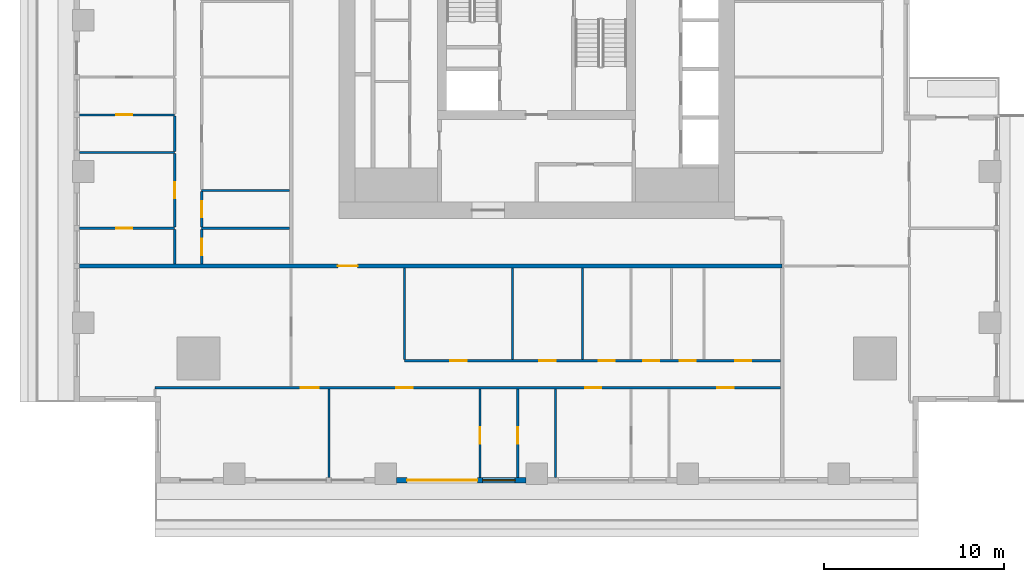
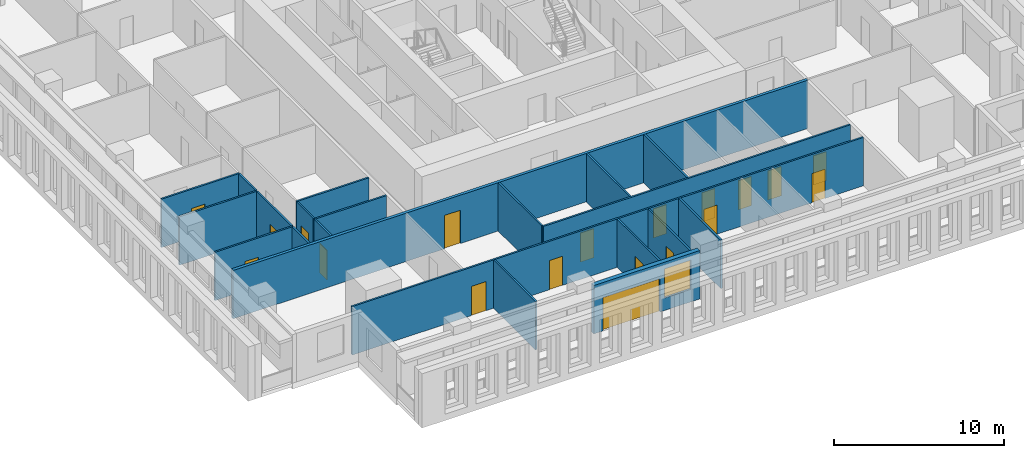
# One storey, part 2 of 15: 21 walls, 19 doors, 1 window, 20 openings.
"""IFC4 building model written with IfcOpenShell, lengths in metres."""

from ifc_helpers import new_model, si_unit, direction, frame, frame_2d, origin, place, context, subcontext, project, spatial, rectangle, extrude, material, layer, layer_set, type_object, element, fill, save


model = new_model("IFC4")

# Units and contexts
model_context = context("Model", 3, precision=1e-05, world=origin(), true_north=direction((0.0, 1.0)))
body_context = subcontext(model_context, "Body", "Model", "MODEL_VIEW")
ifc_project = project(units=[si_unit("LENGTHUNIT", "METRE"), si_unit("AREAUNIT", "SQUARE_METRE"), si_unit("VOLUMEUNIT", "CUBIC_METRE"), si_unit("PLANEANGLEUNIT", "RADIAN"), si_unit("MASSUNIT", "GRAM", prefix="KILO")], contexts=[model_context])

# Site, building, storey
site_placement = place(None, origin())
site = spatial("IfcSite", under=ifc_project, at=site_placement, CompositionType="ELEMENT")
building_placement = place(site_placement, origin())
building = spatial("IfcBuilding", under=site, at=building_placement, Name="Khepri Terraces", CompositionType="ELEMENT")
storey_placement = place(building_placement, frame((0.0, 0.0, 196.199951171875)))
storey = spatial("IfcBuildingStorey", under=building, at=storey_placement, Name="L46", CompositionType="ELEMENT", Elevation=196.199951171875)

# Wall, opening, door
ifc_material_1 = material(Name="Fire-rated gypsum plasterboard partition, mineral wool")
ifc_layer_1 = layer(ifc_material_1, 0.199951171875, Name="Fire-rated gypsum plasterboard partition, mineral wool")
ifc_layer_set_1 = layer_set([ifc_layer_1], Name="Fire-rated gypsum plasterboard partition, mineral wool")
wall_type_1 = type_object("IfcWallType", Name="WL-CORR-200", PredefinedType="PARTITIONING", material=ifc_layer_set_1)
wall_1_placement = place(storey_placement, frame((-25.419921875, -13.64990234375, 0.0), z_axis=(0.0, 0.0, 1.0), x_axis=(1.0, 0.0, 0.0)))
wall_1 = element("IfcWall", 1, at=wall_1_placement, inside=storey, type_object=wall_type_1, Name="Partition P-020 L46", PredefinedType="PARTITIONING", context=body_context, shape_type="SweptSolid", body=[
    extrude(rectangle(XDim=39.06982421875, YDim=0.199951171875, at=frame_2d((19.534912109375, 0.0))), origin(), (0.0, 0.0, 1.0), 3.47998046875),
])
opening_1_placement = place(wall_1_placement, frame((14.3701171875, 0.0, 0.0)))
opening_1 = element("IfcOpeningElement", 2, at=opening_1_placement, cuts=wall_1, Name="Opening D1", PredefinedType="OPENING", context=body_context, shape_type="SweptSolid", body=[
    extrude(rectangle(XDim=1.10009765625, YDim=2.39990234375, at=frame_2d((0.550048828125, 1.199951171875))), frame((0.0, 0.10986328125, 0.0), z_axis=(0.0, -1.0, 0.0), x_axis=(1.0, 0.0, 0.0)), (0.0, 0.0, 1.0), 0.219970703125),
])
ifc_material_2 = material(Name="Solid-core timber door leaf, flat entrance door", Category="wood")
door_type_1 = type_object("IfcDoorType", Name="DR-ENT-1100", OperationType="NOTDEFINED", PredefinedType="DOOR", material=ifc_material_2)
door_1_placement = place(opening_1_placement, frame((1.10009765625, 0.0, 0.0), z_axis=(0.0, 0.0, 1.0), x_axis=(-1.0, 0.0, 0.0)))
door_1 = element("IfcDoor", 3, at=door_1_placement, inside=storey, type_object=door_type_1, Name="Flat A1 entrance door", OperationType="SINGLE_SWING_RIGHT", OverallHeight=2.39990234375, OverallWidth=1.10009765625, PredefinedType="DOOR", context=body_context, shape_type="SweptSolid", body=[
    extrude(rectangle(XDim=1.10009765625, YDim=2.39990234375, at=frame_2d((0.550048828125, 1.199951171875))), frame((0.0, 0.02490234375, 0.0), z_axis=(0.0, -1.0, 0.0), x_axis=(1.0, 0.0, 0.0)), (0.0, 0.0, 1.0), 0.050048828125),
])
fill(opening_1, door_1)

# Wall, openings, door, window
ifc_material_3 = material(Name="Precast concrete C50/60 warm stone", Category="masonry")
ifc_layer_2 = layer(ifc_material_3, 0.300048828125, Name="Precast concrete C50/60 warm stone", Category="masonry")
ifc_layer_set_2 = layer_set([ifc_layer_2], Name="Precast concrete C50/60 warm stone")
wall_type_2 = type_object("IfcWallType", Name="WL-EXT-PRECAST-300", PredefinedType="STANDARD", material=ifc_layer_set_2)
wall_2_placement = place(storey_placement, frame((-7.800048828125, -25.570068359375, 0.0), z_axis=(0.0, 0.0, 1.0), x_axis=(1.0, 0.0, 0.0)))
wall_2 = element("IfcWall", 4, at=wall_2_placement, inside=storey, type_object=wall_type_2, Name="External wall L46 S", PredefinedType="STANDARD", context=body_context, shape_type="SweptSolid", body=[
    extrude(rectangle(XDim=7.199951171875, YDim=0.300048828125, at=frame_2d((3.60009765625, 0.0))), origin(), (0.0, 0.0, 1.0), 3.47998046875),
])
opening_2_placement = place(wall_2_placement, frame((0.60009765625, 0.0, 0.0)))
opening_2 = element("IfcOpeningElement", 5, at=opening_2_placement, cuts=wall_2, Name="Opening ED-L46-20", PredefinedType="OPENING", context=body_context, shape_type="SweptSolid", body=[
    extrude(rectangle(XDim=3.89990234375, YDim=2.39990234375, at=frame_2d((1.949951171875, 1.199951171875))), frame((0.0, 0.16015625, 0.0), z_axis=(0.0, -1.0, 0.0), x_axis=(1.0, 0.0, 0.0)), (0.0, 0.0, 1.0), 0.320068359375),
])
opening_3_placement = place(wall_2_placement, frame((4.800048828125, 0.0, 0.89990234375)))
opening_3 = element("IfcOpeningElement", 6, at=opening_3_placement, cuts=wall_2, Name="Opening W1", PredefinedType="OPENING", context=body_context, shape_type="SweptSolid", body=[
    extrude(rectangle(XDim=1.800048828125, YDim=2.10009765625, at=frame_2d((0.89990234375, 1.050048828125))), frame((0.0, 0.16015625, 0.0), z_axis=(0.0, -1.0, 0.0), x_axis=(1.0, 0.0, 0.0)), (0.0, 0.0, 1.0), 0.320068359375),
])
ifc_material_4 = material(Name="Anodised aluminium bronze glazed door", Category="aluminium")
door_type_2 = type_object("IfcDoorType", Name="DR-BAL-SLIDE-3900x2400", OperationType="NOTDEFINED", PredefinedType="DOOR", material=ifc_material_4)
door_2_placement = place(opening_2_placement, origin())
door_2 = element("IfcDoor", 7, at=door_2_placement, inside=storey, type_object=door_type_2, Name="Balcony door L46 S", OperationType="SLIDING_TO_LEFT", OverallHeight=2.39990234375, OverallWidth=3.89990234375, PredefinedType="DOOR", context=body_context, shape_type="SweptSolid", body=[
    extrude(rectangle(XDim=3.89990234375, YDim=2.39990234375, at=frame_2d((1.949951171875, 1.199951171875))), frame((0.0, 0.02490234375, 0.0), z_axis=(0.0, -1.0, 0.0), x_axis=(1.0, 0.0, 0.0)), (0.0, 0.0, 1.0), 0.050048828125),
])
fill(opening_2, door_2)
ifc_material_5 = material(Name="Clear glass", Category="glass")
window_type = type_object("IfcWindowType", Name="WIN-RES-1800x2100", PartitioningType="SINGLE_PANEL", PredefinedType="WINDOW", material=ifc_material_5)
window_placement = place(opening_3_placement, origin())
window = element("IfcWindow", 8, at=window_placement, inside=storey, type_object=window_type, Name="Window L46 S", OverallHeight=2.10009765625, OverallWidth=1.800048828125, PartitioningType="SINGLE_PANEL", PredefinedType="WINDOW", context=body_context, shape_type="SweptSolid", body=[
    extrude(rectangle(XDim=1.800048828125, YDim=2.10009765625, at=frame_2d((0.89990234375, 1.050048828125))), frame((0.0, 0.030029296875, 0.0), z_axis=(0.0, -1.0, 0.0), x_axis=(1.0, 0.0, 0.0)), (0.0, 0.0, 1.0), 0.06005859375),
])
fill(opening_3, window)

# Wall
ifc_material_6 = material(Name="Gypsum plasterboard partition")
ifc_layer_3 = layer(ifc_material_6, 0.1201171875, Name="Gypsum plasterboard partition")
ifc_layer_set_3 = layer_set([ifc_layer_3], Name="Gypsum plasterboard partition")
wall_type_3 = type_object("IfcWallType", Name="WL-PART-120", PredefinedType="PARTITIONING", material=ifc_layer_set_3)
wall_3_placement = place(storey_placement, frame((-11.550048828125, -25.419921875, 0.0), z_axis=(0.0, 0.0, 1.0), x_axis=(0.0, 1.0, 0.0)))
element("IfcWall", 9, at=wall_3_placement, inside=storey, type_object=wall_type_3, Name="Partition P-001 L46", PredefinedType="PARTITIONING", context=body_context, shape_type="SweptSolid", body=[
    extrude(rectangle(XDim=4.93994140625, YDim=0.1201171875, at=frame_2d((2.469970703125, 0.0))), origin(), (0.0, 0.0, 1.0), 3.47998046875),
])

# Wall, opening, door
wall_4_placement = place(storey_placement, frame((-3.14990234375, -25.419921875, 0.0), z_axis=(0.0, 0.0, 1.0), x_axis=(0.0, 1.0, 0.0)))
wall_4 = element("IfcWall", 10, at=wall_4_placement, inside=storey, type_object=wall_type_3, Name="Partition P-002 L46", PredefinedType="PARTITIONING", context=body_context, shape_type="SweptSolid", body=[
    extrude(rectangle(XDim=4.93994140625, YDim=0.1201171875, at=frame_2d((2.469970703125, 0.0))), origin(), (0.0, 0.0, 1.0), 3.47998046875),
])
opening_4_placement = place(wall_4_placement, frame((1.89990234375, 0.0, 0.0)))
opening_4 = element("IfcOpeningElement", 11, at=opening_4_placement, cuts=wall_4, Name="Opening D3", PredefinedType="OPENING", context=body_context, shape_type="SweptSolid", body=[
    extrude(rectangle(XDim=0.89990234375, YDim=2.10009765625, at=frame_2d((0.449951171875, 1.050048828125))), frame((0.0, 0.070068359375, 0.0), z_axis=(0.0, -1.0, 0.0), x_axis=(1.0, 0.0, 0.0)), (0.0, 0.0, 1.0), 0.14013671875),
])
ifc_material_7 = material(Name="Timber door leaf", Category="wood")
door_type_3 = type_object("IfcDoorType", Name="DR-INT-900", OperationType="NOTDEFINED", PredefinedType="DOOR", material=ifc_material_7)
door_3_placement = place(opening_4_placement, frame((0.89990234375, 0.0, 0.0), z_axis=(0.0, 0.0, 1.0), x_axis=(-1.0, 0.0, 0.0)))
door_3 = element("IfcDoor", 12, at=door_3_placement, inside=storey, type_object=door_type_3, Name="Door Dressing Room", OperationType="SINGLE_SWING_RIGHT", OverallHeight=2.10009765625, OverallWidth=0.89990234375, PredefinedType="DOOR", context=body_context, shape_type="SweptSolid", body=[
    extrude(rectangle(XDim=0.89990234375, YDim=2.10009765625, at=frame_2d((0.449951171875, 1.050048828125))), frame((0.0, 0.02490234375, 0.0), z_axis=(0.0, -1.0, 0.0), x_axis=(1.0, 0.0, 0.0)), (0.0, 0.0, 1.0), 0.050048828125),
])
fill(opening_4, door_3)

wall_5_placement = place(storey_placement, frame((-1.050048828125, -25.419921875, 0.0), z_axis=(0.0, 0.0, 1.0), x_axis=(0.0, 1.0, 0.0)))
wall_5 = element("IfcWall", 13, at=wall_5_placement, inside=storey, type_object=wall_type_3, Name="Partition P-003 L46", PredefinedType="PARTITIONING", context=body_context, shape_type="SweptSolid", body=[
    extrude(rectangle(XDim=4.93994140625, YDim=0.1201171875, at=frame_2d((2.469970703125, 0.0))), origin(), (0.0, 0.0, 1.0), 3.47998046875),
])
opening_5_placement = place(wall_5_placement, frame((1.89990234375, 0.0, 0.0)))
opening_5 = element("IfcOpeningElement", 14, at=opening_5_placement, cuts=wall_5, Name="Opening D4", PredefinedType="OPENING", context=body_context, shape_type="SweptSolid", body=[
    extrude(rectangle(XDim=0.89990234375, YDim=2.10009765625, at=frame_2d((0.449951171875, 1.050048828125))), frame((0.0, 0.070068359375, 0.0), z_axis=(0.0, -1.0, 0.0), x_axis=(1.0, 0.0, 0.0)), (0.0, 0.0, 1.0), 0.14013671875),
])
ifc_material_8 = material(Name="Timber door leaf, moisture resistant", Category="wood")
door_type_4 = type_object("IfcDoorType", Name="DR-WET-900", OperationType="NOTDEFINED", PredefinedType="DOOR", material=ifc_material_8)
door_4_placement = place(opening_5_placement, frame((0.89990234375, 0.0, 0.0), z_axis=(0.0, 0.0, 1.0), x_axis=(-1.0, 0.0, 0.0)))
door_4 = element("IfcDoor", 15, at=door_4_placement, inside=storey, type_object=door_type_4, Name="Door Bathroom", OperationType="SINGLE_SWING_RIGHT", OverallHeight=2.10009765625, OverallWidth=0.89990234375, PredefinedType="DOOR", context=body_context, shape_type="SweptSolid", body=[
    extrude(rectangle(XDim=0.89990234375, YDim=2.10009765625, at=frame_2d((0.449951171875, 1.050048828125))), frame((0.0, 0.02490234375, 0.0), z_axis=(0.0, -1.0, 0.0), x_axis=(1.0, 0.0, 0.0)), (0.0, 0.0, 1.0), 0.050048828125),
])
fill(opening_5, door_4)

# Wall
wall_6_placement = place(storey_placement, frame((1.050048828125, -25.419921875, 0.0), z_axis=(0.0, 0.0, 1.0), x_axis=(0.0, 1.0, 0.0)))
element("IfcWall", 16, at=wall_6_placement, inside=storey, type_object=wall_type_3, Name="Partition P-004 L46", PredefinedType="PARTITIONING", context=body_context, shape_type="SweptSolid", body=[
    extrude(rectangle(XDim=4.93994140625, YDim=0.1201171875, at=frame_2d((2.469970703125, 0.0))), origin(), (0.0, 0.0, 1.0), 3.47998046875),
])

# Wall, openings, doors
wall_7_placement = place(storey_placement, frame((-21.218994140625, -20.419921875, 0.0), z_axis=(0.0, 0.0, 1.0), x_axis=(1.0, 0.0, 0.0)))
wall_7 = element("IfcWall", 17, at=wall_7_placement, inside=storey, type_object=wall_type_3, Name="Partition P-011 L46", PredefinedType="PARTITIONING", context=body_context, shape_type="SweptSolid", body=[
    extrude(rectangle(XDim=34.76904296875, YDim=0.1201171875, at=frame_2d((17.384521484375, 0.0))), origin(), (0.0, 0.0, 1.0), 3.47998046875),
])
opening_6_placement = place(wall_7_placement, frame((8.118896484375, 0.0, 0.0)))
opening_6 = element("IfcOpeningElement", 18, at=opening_6_placement, cuts=wall_7, Name="Opening D2", PredefinedType="OPENING", context=body_context, shape_type="SweptSolid", body=[
    extrude(rectangle(XDim=1.0, YDim=2.10009765625, at=frame_2d((0.5, 1.050048828125))), frame((0.0, 0.070068359375, 0.0), z_axis=(0.0, -1.0, 0.0), x_axis=(1.0, 0.0, 0.0)), (0.0, 0.0, 1.0), 0.14013671875),
])
opening_7_placement = place(wall_7_placement, frame((13.4189453125, 0.0, 0.0)))
opening_7 = element("IfcOpeningElement", 19, at=opening_7_placement, cuts=wall_7, Name="Opening D3", PredefinedType="OPENING", context=body_context, shape_type="SweptSolid", body=[
    extrude(rectangle(XDim=0.89990234375, YDim=2.10009765625, at=frame_2d((0.449951171875, 1.050048828125))), frame((0.0, 0.070068359375, 0.0), z_axis=(0.0, -1.0, 0.0), x_axis=(1.0, 0.0, 0.0)), (0.0, 0.0, 1.0), 0.14013671875),
])
opening_8_placement = place(wall_7_placement, frame((23.9189453125, 0.0, 0.0)))
opening_8 = element("IfcOpeningElement", 20, at=opening_8_placement, cuts=wall_7, Name="Opening D3", PredefinedType="OPENING", context=body_context, shape_type="SweptSolid", body=[
    extrude(rectangle(XDim=0.89990234375, YDim=2.10009765625, at=frame_2d((0.449951171875, 1.050048828125))), frame((0.0, 0.070068359375, 0.0), z_axis=(0.0, -1.0, 0.0), x_axis=(1.0, 0.0, 0.0)), (0.0, 0.0, 1.0), 0.14013671875),
])
opening_9_placement = place(wall_7_placement, frame((31.26904296875, 0.0, 0.0)))
opening_9 = element("IfcOpeningElement", 21, at=opening_9_placement, cuts=wall_7, Name="Opening D3", PredefinedType="OPENING", context=body_context, shape_type="SweptSolid", body=[
    extrude(rectangle(XDim=0.89990234375, YDim=2.10009765625, at=frame_2d((0.449951171875, 1.050048828125))), frame((0.0, 0.070068359375, 0.0), z_axis=(0.0, -1.0, 0.0), x_axis=(1.0, 0.0, 0.0)), (0.0, 0.0, 1.0), 0.14013671875),
])
ifc_material_9 = material(Name="Timber door leaf, living room door", Category="wood")
door_type_5 = type_object("IfcDoorType", Name="DR-INT-1000", OperationType="NOTDEFINED", PredefinedType="DOOR", material=ifc_material_9)
door_5_placement = place(opening_6_placement, frame((1.0, 0.0, 0.0), z_axis=(0.0, 0.0, 1.0), x_axis=(-1.0, 0.0, 0.0)))
door_5 = element("IfcDoor", 22, at=door_5_placement, inside=storey, type_object=door_type_5, Name="Door Living Room", OperationType="SINGLE_SWING_RIGHT", OverallHeight=2.10009765625, OverallWidth=1.0, PredefinedType="DOOR", context=body_context, shape_type="SweptSolid", body=[
    extrude(rectangle(XDim=1.0, YDim=2.10009765625, at=frame_2d((0.5, 1.050048828125))), frame((0.0, 0.02490234375, 0.0), z_axis=(0.0, -1.0, 0.0), x_axis=(1.0, 0.0, 0.0)), (0.0, 0.0, 1.0), 0.050048828125),
])
fill(opening_6, door_5)
door_6_placement = place(opening_7_placement, frame((0.89990234375, 0.0, 0.0), z_axis=(0.0, 0.0, 1.0), x_axis=(-1.0, 0.0, 0.0)))
door_6 = element("IfcDoor", 23, at=door_6_placement, inside=storey, type_object=door_type_3, Name="Door Master Bedroom", OperationType="SINGLE_SWING_RIGHT", OverallHeight=2.10009765625, OverallWidth=0.89990234375, PredefinedType="DOOR", context=body_context, shape_type="SweptSolid", body=[
    extrude(rectangle(XDim=0.89990234375, YDim=2.10009765625, at=frame_2d((0.449951171875, 1.050048828125))), frame((0.0, 0.02490234375, 0.0), z_axis=(0.0, -1.0, 0.0), x_axis=(1.0, 0.0, 0.0)), (0.0, 0.0, 1.0), 0.050048828125),
])
fill(opening_7, door_6)
door_7_placement = place(opening_8_placement, frame((0.89990234375, 0.0, 0.0), z_axis=(0.0, 0.0, 1.0), x_axis=(-1.0, 0.0, 0.0)))
door_7 = element("IfcDoor", 24, at=door_7_placement, inside=storey, type_object=door_type_3, Name="Door Bedroom", OperationType="SINGLE_SWING_LEFT", OverallHeight=2.10009765625, OverallWidth=0.89990234375, PredefinedType="DOOR", context=body_context, shape_type="SweptSolid", body=[
    extrude(rectangle(XDim=0.89990234375, YDim=2.10009765625, at=frame_2d((0.449951171875, 1.050048828125))), frame((0.0, 0.02490234375, 0.0), z_axis=(0.0, -1.0, 0.0), x_axis=(1.0, 0.0, 0.0)), (0.0, 0.0, 1.0), 0.050048828125),
])
fill(opening_8, door_7)
door_8_placement = place(opening_9_placement, frame((0.89990234375, 0.0, 0.0), z_axis=(0.0, 0.0, 1.0), x_axis=(-1.0, 0.0, 0.0)))
door_8 = element("IfcDoor", 25, at=door_8_placement, inside=storey, type_object=door_type_3, Name="Door Home Gym", OperationType="SINGLE_SWING_LEFT", OverallHeight=2.10009765625, OverallWidth=0.89990234375, PredefinedType="DOOR", context=body_context, shape_type="SweptSolid", body=[
    extrude(rectangle(XDim=0.89990234375, YDim=2.10009765625, at=frame_2d((0.449951171875, 1.050048828125))), frame((0.0, 0.02490234375, 0.0), z_axis=(0.0, -1.0, 0.0), x_axis=(1.0, 0.0, 0.0)), (0.0, 0.0, 1.0), 0.050048828125),
])
fill(opening_9, door_8)

wall_8_placement = place(storey_placement, frame((-7.35009765625, -18.919921875, 0.0), z_axis=(0.0, 0.0, 1.0), x_axis=(1.0, 0.0, 0.0)))
wall_8 = element("IfcWall", 26, at=wall_8_placement, inside=storey, type_object=wall_type_3, Name="Partition P-013 L46", PredefinedType="PARTITIONING", context=body_context, shape_type="SweptSolid", body=[
    extrude(rectangle(XDim=20.900146484375, YDim=0.1201171875, at=frame_2d((10.4501953125, 0.0))), origin(), (0.0, 0.0, 1.0), 3.47998046875),
])
opening_10_placement = place(wall_8_placement, frame((2.550048828125, 0.0, 0.0)))
opening_10 = element("IfcOpeningElement", 27, at=opening_10_placement, cuts=wall_8, Name="Opening D3", PredefinedType="OPENING", context=body_context, shape_type="SweptSolid", body=[
    extrude(rectangle(XDim=0.89990234375, YDim=2.10009765625, at=frame_2d((0.449951171875, 1.050048828125))), frame((0.0, 0.070068359375, 0.0), z_axis=(0.0, -1.0, 0.0), x_axis=(1.0, 0.0, 0.0)), (0.0, 0.0, 1.0), 0.14013671875),
])
opening_11_placement = place(wall_8_placement, frame((7.5, 0.0, 0.0)))
opening_11 = element("IfcOpeningElement", 28, at=opening_11_placement, cuts=wall_8, Name="Opening D3", PredefinedType="OPENING", context=body_context, shape_type="SweptSolid", body=[
    extrude(rectangle(XDim=0.89990234375, YDim=2.10009765625, at=frame_2d((0.449951171875, 1.050048828125))), frame((0.0, 0.070068359375, 0.0), z_axis=(0.0, -1.0, 0.0), x_axis=(1.0, 0.0, 0.0)), (0.0, 0.0, 1.0), 0.14013671875),
])
opening_12_placement = place(wall_8_placement, frame((10.800048828125, 0.0, 0.0)))
opening_12 = element("IfcOpeningElement", 29, at=opening_12_placement, cuts=wall_8, Name="Opening D3", PredefinedType="OPENING", context=body_context, shape_type="SweptSolid", body=[
    extrude(rectangle(XDim=0.89990234375, YDim=2.10009765625, at=frame_2d((0.449951171875, 1.050048828125))), frame((0.0, 0.070068359375, 0.0), z_axis=(0.0, -1.0, 0.0), x_axis=(1.0, 0.0, 0.0)), (0.0, 0.0, 1.0), 0.14013671875),
])
opening_13_placement = place(wall_8_placement, frame((13.27490234375, 0.0, 0.0)))
opening_13 = element("IfcOpeningElement", 30, at=opening_13_placement, cuts=wall_8, Name="Opening D4", PredefinedType="OPENING", context=body_context, shape_type="SweptSolid", body=[
    extrude(rectangle(XDim=0.89990234375, YDim=2.10009765625, at=frame_2d((0.449951171875, 1.050048828125))), frame((0.0, 0.070068359375, 0.0), z_axis=(0.0, -1.0, 0.0), x_axis=(1.0, 0.0, 0.0)), (0.0, 0.0, 1.0), 0.14013671875),
])
opening_14_placement = place(wall_8_placement, frame((15.300048828125, 0.0, 0.0)))
opening_14 = element("IfcOpeningElement", 31, at=opening_14_placement, cuts=wall_8, Name="Opening D4", PredefinedType="OPENING", context=body_context, shape_type="SweptSolid", body=[
    extrude(rectangle(XDim=0.89990234375, YDim=2.10009765625, at=frame_2d((0.449951171875, 1.050048828125))), frame((0.0, 0.070068359375, 0.0), z_axis=(0.0, -1.0, 0.0), x_axis=(1.0, 0.0, 0.0)), (0.0, 0.0, 1.0), 0.14013671875),
])
opening_15_placement = place(wall_8_placement, frame((18.375, 0.0, 0.0)))
opening_15 = element("IfcOpeningElement", 32, at=opening_15_placement, cuts=wall_8, Name="Opening D3", PredefinedType="OPENING", context=body_context, shape_type="SweptSolid", body=[
    extrude(rectangle(XDim=0.89990234375, YDim=2.10009765625, at=frame_2d((0.449951171875, 1.050048828125))), frame((0.0, 0.070068359375, 0.0), z_axis=(0.0, -1.0, 0.0), x_axis=(1.0, 0.0, 0.0)), (0.0, 0.0, 1.0), 0.14013671875),
])
door_9_placement = place(opening_10_placement, origin())
door_9 = element("IfcDoor", 33, at=door_9_placement, inside=storey, type_object=door_type_3, Name="Door Kitchen", OperationType="SINGLE_SWING_LEFT", OverallHeight=2.10009765625, OverallWidth=0.89990234375, PredefinedType="DOOR", context=body_context, shape_type="SweptSolid", body=[
    extrude(rectangle(XDim=0.89990234375, YDim=2.10009765625, at=frame_2d((0.449951171875, 1.050048828125))), frame((0.0, 0.02490234375, 0.0), z_axis=(0.0, -1.0, 0.0), x_axis=(1.0, 0.0, 0.0)), (0.0, 0.0, 1.0), 0.050048828125),
])
fill(opening_10, door_9)
door_10_placement = place(opening_11_placement, origin())
door_10 = element("IfcDoor", 34, at=door_10_placement, inside=storey, type_object=door_type_3, Name="Door Service Store", OperationType="SINGLE_SWING_LEFT", OverallHeight=2.10009765625, OverallWidth=0.89990234375, PredefinedType="DOOR", context=body_context, shape_type="SweptSolid", body=[
    extrude(rectangle(XDim=0.89990234375, YDim=2.10009765625, at=frame_2d((0.449951171875, 1.050048828125))), frame((0.0, 0.02490234375, 0.0), z_axis=(0.0, -1.0, 0.0), x_axis=(1.0, 0.0, 0.0)), (0.0, 0.0, 1.0), 0.050048828125),
])
fill(opening_11, door_10)
door_11_placement = place(opening_12_placement, origin())
door_11 = element("IfcDoor", 35, at=door_11_placement, inside=storey, type_object=door_type_3, Name="Door Utility Room", OperationType="SINGLE_SWING_RIGHT", OverallHeight=2.10009765625, OverallWidth=0.89990234375, PredefinedType="DOOR", context=body_context, shape_type="SweptSolid", body=[
    extrude(rectangle(XDim=0.89990234375, YDim=2.10009765625, at=frame_2d((0.449951171875, 1.050048828125))), frame((0.0, 0.02490234375, 0.0), z_axis=(0.0, -1.0, 0.0), x_axis=(1.0, 0.0, 0.0)), (0.0, 0.0, 1.0), 0.050048828125),
])
fill(opening_12, door_11)
door_12_placement = place(opening_15_placement, origin())
door_12 = element("IfcDoor", 36, at=door_12_placement, inside=storey, type_object=door_type_3, Name="Door Staff Bedroom", OperationType="SINGLE_SWING_RIGHT", OverallHeight=2.10009765625, OverallWidth=0.89990234375, PredefinedType="DOOR", context=body_context, shape_type="SweptSolid", body=[
    extrude(rectangle(XDim=0.89990234375, YDim=2.10009765625, at=frame_2d((0.449951171875, 1.050048828125))), frame((0.0, 0.02490234375, 0.0), z_axis=(0.0, -1.0, 0.0), x_axis=(1.0, 0.0, 0.0)), (0.0, 0.0, 1.0), 0.050048828125),
])
fill(opening_15, door_12)
door_13_placement = place(opening_13_placement, origin())
door_13 = element("IfcDoor", 37, at=door_13_placement, inside=storey, type_object=door_type_4, Name="Door Powder Room", OperationType="SINGLE_SWING_RIGHT", OverallHeight=2.10009765625, OverallWidth=0.89990234375, PredefinedType="DOOR", context=body_context, shape_type="SweptSolid", body=[
    extrude(rectangle(XDim=0.89990234375, YDim=2.10009765625, at=frame_2d((0.449951171875, 1.050048828125))), frame((0.0, 0.02490234375, 0.0), z_axis=(0.0, -1.0, 0.0), x_axis=(1.0, 0.0, 0.0)), (0.0, 0.0, 1.0), 0.050048828125),
])
fill(opening_13, door_13)
door_14_placement = place(opening_14_placement, origin())
door_14 = element("IfcDoor", 38, at=door_14_placement, inside=storey, type_object=door_type_4, Name="Door Guest Bathroom", OperationType="SINGLE_SWING_RIGHT", OverallHeight=2.10009765625, OverallWidth=0.89990234375, PredefinedType="DOOR", context=body_context, shape_type="SweptSolid", body=[
    extrude(rectangle(XDim=0.89990234375, YDim=2.10009765625, at=frame_2d((0.449951171875, 1.050048828125))), frame((0.0, 0.02490234375, 0.0), z_axis=(0.0, -1.0, 0.0), x_axis=(1.0, 0.0, 0.0)), (0.0, 0.0, 1.0), 0.050048828125),
])
fill(opening_14, door_14)

# Walls
for number, where, z_axis, x_axis, name in (
    (39, (-7.35009765625, -18.860107421875, 0.0), (0.0, 0.0, 1.0), (0.0, 1.0, 0.0), "Partition P-014 L46"),
    (40, (-1.35009765625, -18.860107421875, 0.0), (0.0, 0.0, 1.0), (0.0, 1.0, 0.0), "Partition P-015 L46"),
    (41, (2.550048828125, -18.860107421875, 0.0), (0.0, 0.0, 1.0), (0.0, 1.0, 0.0), "Partition P-016 L46"),
):
    element("IfcWall", number, at=place(storey_placement, frame(where, z_axis=z_axis, x_axis=x_axis)), inside=storey, type_object=wall_type_3, Name=name, PredefinedType="PARTITIONING", context=body_context, shape_type="SweptSolid", body=[
        extrude(rectangle(XDim=5.110107421875, YDim=0.1201171875, at=frame_2d((2.55517578125, 0.0))), origin(), (0.0, 0.0, 1.0), 3.47998046875),
    ])
wall_9_placement = place(storey_placement, frame((-20.1201171875, -13.550048828125, 0.0), z_axis=(0.0, 0.0, 1.0), x_axis=(0.0, 1.0, 0.0)))
element("IfcWall", 42, at=wall_9_placement, inside=storey, type_object=wall_type_3, Name="Partition P-023 L46", PredefinedType="PARTITIONING", context=body_context, shape_type="SweptSolid", body=[
    extrude(rectangle(XDim=1.93994140625, YDim=0.1201171875, at=frame_2d((0.969970703125, 0.0))), origin(), (0.0, 0.0, 1.0), 3.47998046875),
])

# Wall, opening, door
wall_10_placement = place(storey_placement, frame((-18.6201171875, -13.550048828125, 0.0), z_axis=(0.0, 0.0, 1.0), x_axis=(0.0, 1.0, 0.0)))
wall_10 = element("IfcWall", 43, at=wall_10_placement, inside=storey, type_object=wall_type_3, Name="Partition P-024 L46", PredefinedType="PARTITIONING", context=body_context, shape_type="SweptSolid", body=[
    extrude(rectangle(XDim=1.93994140625, YDim=0.1201171875, at=frame_2d((0.969970703125, 0.0))), origin(), (0.0, 0.0, 1.0), 3.47998046875),
])
opening_16_placement = place(wall_10_placement, frame((0.5, 0.0, 0.0)))
opening_16 = element("IfcOpeningElement", 44, at=opening_16_placement, cuts=wall_10, Name="Opening D4", PredefinedType="OPENING", context=body_context, shape_type="SweptSolid", body=[
    extrude(rectangle(XDim=0.89990234375, YDim=2.10009765625, at=frame_2d((0.449951171875, 1.050048828125))), frame((0.0, 0.070068359375, 0.0), z_axis=(0.0, -1.0, 0.0), x_axis=(1.0, 0.0, 0.0)), (0.0, 0.0, 1.0), 0.14013671875),
])
door_15_placement = place(opening_16_placement, frame((0.89990234375, 0.0, 0.0), z_axis=(0.0, 0.0, 1.0), x_axis=(-1.0, 0.0, 0.0)))
door_15 = element("IfcDoor", 45, at=door_15_placement, inside=storey, type_object=door_type_4, Name="Door Guest Bathroom", OperationType="SINGLE_SWING_RIGHT", OverallHeight=2.10009765625, OverallWidth=0.89990234375, PredefinedType="DOOR", context=body_context, shape_type="SweptSolid", body=[
    extrude(rectangle(XDim=0.89990234375, YDim=2.10009765625, at=frame_2d((0.449951171875, 1.050048828125))), frame((0.0, 0.02490234375, 0.0), z_axis=(0.0, -1.0, 0.0), x_axis=(1.0, 0.0, 0.0)), (0.0, 0.0, 1.0), 0.050048828125),
])
fill(opening_16, door_15)

wall_11_placement = place(storey_placement, frame((-25.419921875, -11.550048828125, 0.0), z_axis=(0.0, 0.0, 1.0), x_axis=(1.0, 0.0, 0.0)))
wall_11 = element("IfcWall", 46, at=wall_11_placement, inside=storey, type_object=wall_type_3, Name="Partition P-027 L46", PredefinedType="PARTITIONING", context=body_context, shape_type="SweptSolid", body=[
    extrude(rectangle(XDim=5.2998046875, YDim=0.1201171875, at=frame_2d((2.64990234375, 0.0))), origin(), (0.0, 0.0, 1.0), 3.47998046875),
])
opening_17_placement = place(wall_11_placement, frame((2.050048828125, 0.0, 0.0)))
opening_17 = element("IfcOpeningElement", 47, at=opening_17_placement, cuts=wall_11, Name="Opening D4", PredefinedType="OPENING", context=body_context, shape_type="SweptSolid", body=[
    extrude(rectangle(XDim=0.89990234375, YDim=2.10009765625, at=frame_2d((0.449951171875, 1.050048828125))), frame((0.0, 0.070068359375, 0.0), z_axis=(0.0, -1.0, 0.0), x_axis=(1.0, 0.0, 0.0)), (0.0, 0.0, 1.0), 0.14013671875),
])
door_16_placement = place(opening_17_placement, frame((0.89990234375, 0.0, 0.0), z_axis=(0.0, 0.0, 1.0), x_axis=(-1.0, 0.0, 0.0)))
door_16 = element("IfcDoor", 48, at=door_16_placement, inside=storey, type_object=door_type_4, Name="Door Bathroom", OperationType="SINGLE_SWING_RIGHT", OverallHeight=2.10009765625, OverallWidth=0.89990234375, PredefinedType="DOOR", context=body_context, shape_type="SweptSolid", body=[
    extrude(rectangle(XDim=0.89990234375, YDim=2.10009765625, at=frame_2d((0.449951171875, 1.050048828125))), frame((0.0, 0.02490234375, 0.0), z_axis=(0.0, -1.0, 0.0), x_axis=(1.0, 0.0, 0.0)), (0.0, 0.0, 1.0), 0.050048828125),
])
fill(opening_17, door_16)

# Wall
wall_12_placement = place(storey_placement, frame((-18.6201171875, -11.550048828125, 0.0), z_axis=(0.0, 0.0, 1.0), x_axis=(1.0, 0.0, 0.0)))
element("IfcWall", 49, at=wall_12_placement, inside=storey, type_object=wall_type_3, Name="Partition P-028 L46", PredefinedType="PARTITIONING", context=body_context, shape_type="SweptSolid", body=[
    extrude(rectangle(XDim=4.8701171875, YDim=0.1201171875, at=frame_2d((2.43505859375, 0.0))), origin(), (0.0, 0.0, 1.0), 3.47998046875),
])

# Wall, opening, door
wall_13_placement = place(storey_placement, frame((-20.1201171875, -11.489990234375, 0.0), z_axis=(0.0, 0.0, 1.0), x_axis=(0.0, 1.0, 0.0)))
wall_13 = element("IfcWall", 50, at=wall_13_placement, inside=storey, type_object=wall_type_3, Name="Partition P-030 L46", PredefinedType="PARTITIONING", context=body_context, shape_type="SweptSolid", body=[
    extrude(rectangle(XDim=4.080078125, YDim=0.1201171875, at=frame_2d((2.0400390625, 0.0))), origin(), (0.0, 0.0, 1.0), 3.47998046875),
])
opening_18_placement = place(wall_13_placement, frame((1.590087890625, 0.0, 0.0)))
opening_18 = element("IfcOpeningElement", 51, at=opening_18_placement, cuts=wall_13, Name="Opening D3", PredefinedType="OPENING", context=body_context, shape_type="SweptSolid", body=[
    extrude(rectangle(XDim=0.89990234375, YDim=2.10009765625, at=frame_2d((0.449951171875, 1.050048828125))), frame((0.0, 0.070068359375, 0.0), z_axis=(0.0, -1.0, 0.0), x_axis=(1.0, 0.0, 0.0)), (0.0, 0.0, 1.0), 0.14013671875),
])
door_17_placement = place(opening_18_placement, origin())
door_17 = element("IfcDoor", 52, at=door_17_placement, inside=storey, type_object=door_type_3, Name="Door Bedroom", OperationType="SINGLE_SWING_RIGHT", OverallHeight=2.10009765625, OverallWidth=0.89990234375, PredefinedType="DOOR", context=body_context, shape_type="SweptSolid", body=[
    extrude(rectangle(XDim=0.89990234375, YDim=2.10009765625, at=frame_2d((0.449951171875, 1.050048828125))), frame((0.0, 0.02490234375, 0.0), z_axis=(0.0, -1.0, 0.0), x_axis=(1.0, 0.0, 0.0)), (0.0, 0.0, 1.0), 0.050048828125),
])
fill(opening_18, door_17)

wall_14_placement = place(storey_placement, frame((-18.6201171875, -11.489990234375, 0.0), z_axis=(0.0, 0.0, 1.0), x_axis=(0.0, 1.0, 0.0)))
wall_14 = element("IfcWall", 53, at=wall_14_placement, inside=storey, type_object=wall_type_3, Name="Partition P-031 L46", PredefinedType="PARTITIONING", context=body_context, shape_type="SweptSolid", body=[
    extrude(rectangle(XDim=1.97998046875, YDim=0.1201171875, at=frame_2d((0.989990234375, 0.0))), origin(), (0.0, 0.0, 1.0), 3.47998046875),
])
opening_19_placement = place(wall_14_placement, frame((0.5400390625, 0.0, 0.0)))
opening_19 = element("IfcOpeningElement", 54, at=opening_19_placement, cuts=wall_14, Name="Opening D4", PredefinedType="OPENING", context=body_context, shape_type="SweptSolid", body=[
    extrude(rectangle(XDim=0.89990234375, YDim=2.10009765625, at=frame_2d((0.449951171875, 1.050048828125))), frame((0.0, 0.070068359375, 0.0), z_axis=(0.0, -1.0, 0.0), x_axis=(1.0, 0.0, 0.0)), (0.0, 0.0, 1.0), 0.14013671875),
])
door_18_placement = place(opening_19_placement, frame((0.89990234375, 0.0, 0.0), z_axis=(0.0, 0.0, 1.0), x_axis=(-1.0, 0.0, 0.0)))
door_18 = element("IfcDoor", 55, at=door_18_placement, inside=storey, type_object=door_type_4, Name="Door Powder Room", OperationType="SINGLE_SWING_LEFT", OverallHeight=2.10009765625, OverallWidth=0.89990234375, PredefinedType="DOOR", context=body_context, shape_type="SweptSolid", body=[
    extrude(rectangle(XDim=0.89990234375, YDim=2.10009765625, at=frame_2d((0.449951171875, 1.050048828125))), frame((0.0, 0.02490234375, 0.0), z_axis=(0.0, -1.0, 0.0), x_axis=(1.0, 0.0, 0.0)), (0.0, 0.0, 1.0), 0.050048828125),
])
fill(opening_19, door_18)

# Walls
wall_15_placement = place(storey_placement, frame((-18.6201171875, -9.449951171875, 0.0), z_axis=(0.0, 0.0, 1.0), x_axis=(1.0, 0.0, 0.0)))
element("IfcWall", 56, at=wall_15_placement, inside=storey, type_object=wall_type_3, Name="Partition P-034 L46", PredefinedType="PARTITIONING", context=body_context, shape_type="SweptSolid", body=[
    extrude(rectangle(XDim=4.8701171875, YDim=0.1201171875, at=frame_2d((2.43505859375, 0.0))), origin(), (0.0, 0.0, 1.0), 3.47998046875),
])
wall_16_placement = place(storey_placement, frame((-25.419921875, -7.35009765625, 0.0), z_axis=(0.0, 0.0, 1.0), x_axis=(1.0, 0.0, 0.0)))
element("IfcWall", 57, at=wall_16_placement, inside=storey, type_object=wall_type_3, Name="Partition P-036 L46", PredefinedType="PARTITIONING", context=body_context, shape_type="SweptSolid", body=[
    extrude(rectangle(XDim=5.2998046875, YDim=0.1201171875, at=frame_2d((2.64990234375, 0.0))), origin(), (0.0, 0.0, 1.0), 3.47998046875),
])
wall_17_placement = place(storey_placement, frame((-20.1201171875, -7.2900390625, 0.0), z_axis=(0.0, 0.0, 1.0), x_axis=(0.0, 1.0, 0.0)))
element("IfcWall", 58, at=wall_17_placement, inside=storey, type_object=wall_type_3, Name="Partition P-038 L46", PredefinedType="PARTITIONING", context=body_context, shape_type="SweptSolid", body=[
    extrude(rectangle(XDim=1.97998046875, YDim=0.1201171875, at=frame_2d((0.989990234375, 0.0))), origin(), (0.0, 0.0, 1.0), 3.47998046875),
])

# Wall, opening, door
wall_18_placement = place(storey_placement, frame((-25.419921875, -5.25, 0.0), z_axis=(0.0, 0.0, 1.0), x_axis=(1.0, 0.0, 0.0)))
wall_18 = element("IfcWall", 59, at=wall_18_placement, inside=storey, type_object=wall_type_3, Name="Partition P-040 L46", PredefinedType="PARTITIONING", context=body_context, shape_type="SweptSolid", body=[
    extrude(rectangle(XDim=5.2998046875, YDim=0.1201171875, at=frame_2d((2.64990234375, 0.0))), origin(), (0.0, 0.0, 1.0), 3.47998046875),
])
opening_20_placement = place(wall_18_placement, frame((2.050048828125, 0.0, 0.0)))
opening_20 = element("IfcOpeningElement", 60, at=opening_20_placement, cuts=wall_18, Name="Opening D4", PredefinedType="OPENING", context=body_context, shape_type="SweptSolid", body=[
    extrude(rectangle(XDim=0.89990234375, YDim=2.10009765625, at=frame_2d((0.449951171875, 1.050048828125))), frame((0.0, 0.070068359375, 0.0), z_axis=(0.0, -1.0, 0.0), x_axis=(1.0, 0.0, 0.0)), (0.0, 0.0, 1.0), 0.14013671875),
])
door_19_placement = place(opening_20_placement, frame((0.89990234375, 0.0, 0.0), z_axis=(0.0, 0.0, 1.0), x_axis=(-1.0, 0.0, 0.0)))
door_19 = element("IfcDoor", 61, at=door_19_placement, inside=storey, type_object=door_type_4, Name="Door Bathroom", OperationType="SINGLE_SWING_RIGHT", OverallHeight=2.10009765625, OverallWidth=0.89990234375, PredefinedType="DOOR", context=body_context, shape_type="SweptSolid", body=[
    extrude(rectangle(XDim=0.89990234375, YDim=2.10009765625, at=frame_2d((0.449951171875, 1.050048828125))), frame((0.0, 0.02490234375, 0.0), z_axis=(0.0, -1.0, 0.0), x_axis=(1.0, 0.0, 0.0)), (0.0, 0.0, 1.0), 0.050048828125),
])
fill(opening_20, door_19)

save(model, "model.ifc")
